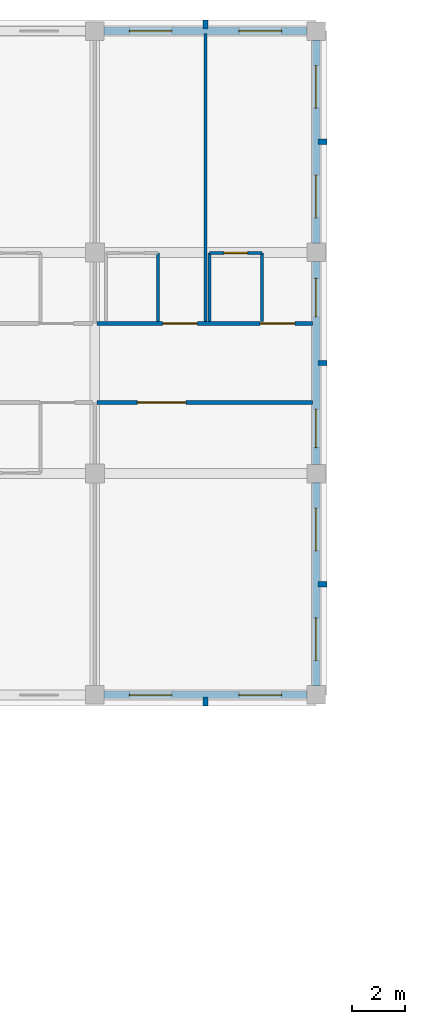
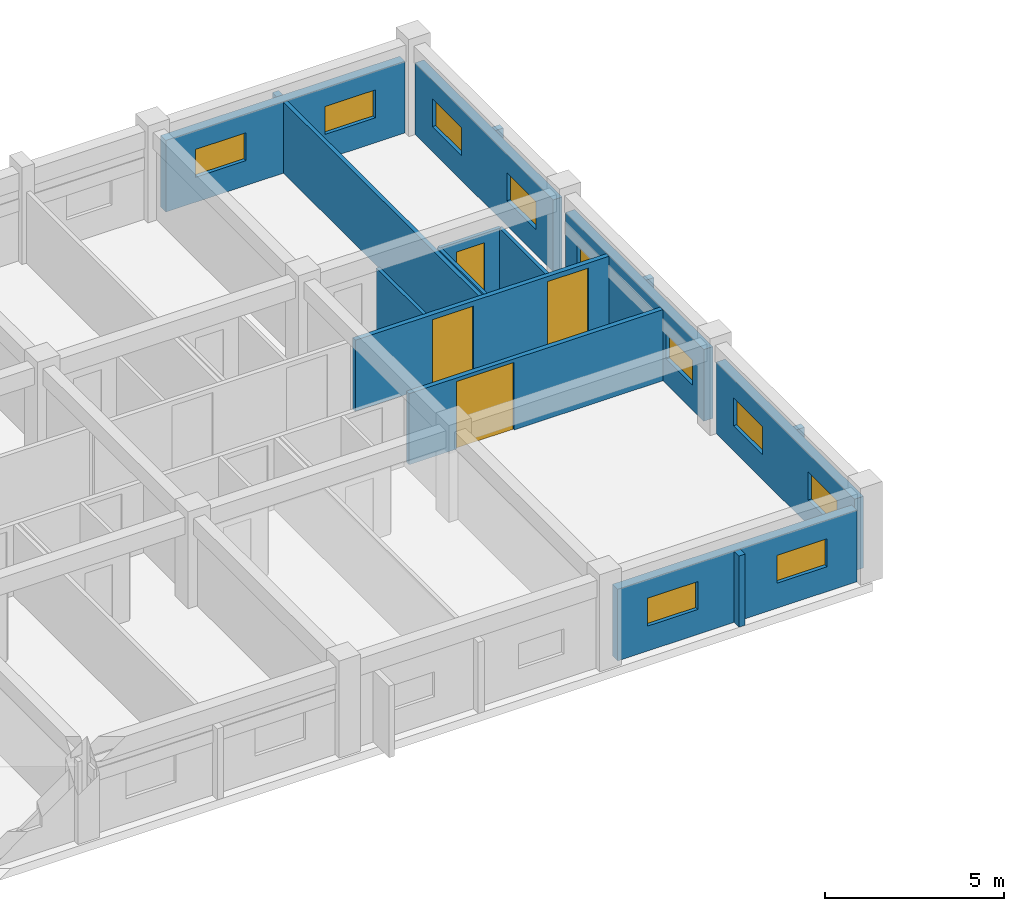
# One storey, part 132 of 148: 17 walls, 10 windows, 4 doors, 14 openings.
"""IFC4 building model written with IfcOpenShell, lengths in metres."""

from ifc_helpers import new_model, si_unit, direction, frame, frame_2d, origin, place, context, subcontext, project, spatial, rectangle, extrude, material, layer, layer_set, type_object, element, fill, save


model = new_model("IFC4")

# Units and contexts
model_context = context("Model", 3, precision=1e-05, world=origin(), true_north=direction((0.0, 1.0)))
body_context = subcontext(model_context, "Body", "Model", "MODEL_VIEW")
ifc_project = project(units=[si_unit("LENGTHUNIT", "METRE"), si_unit("AREAUNIT", "SQUARE_METRE"), si_unit("VOLUMEUNIT", "CUBIC_METRE"), si_unit("PLANEANGLEUNIT", "RADIAN"), si_unit("MASSUNIT", "GRAM", prefix="KILO")], contexts=[model_context])

# Site, building, storey
site_placement = place(None, origin())
site = spatial("IfcSite", under=ifc_project, at=site_placement, CompositionType="ELEMENT")
building_placement = place(site_placement, origin())
building = spatial("IfcBuilding", under=site, at=building_placement, Name="Trelvath General Hospital", CompositionType="ELEMENT")
storey_placement = place(building_placement, frame((0.0, 0.0, 12.89990234375)))
storey = spatial("IfcBuildingStorey", under=building, at=storey_placement, Name="L03", CompositionType="ELEMENT", Elevation=12.89990234375)

# Walls
ifc_material_1 = material(Name="Precast concrete C40/50", Category="concrete")
ifc_layer_1 = layer(ifc_material_1, 0.199951171875)
ifc_layer_set_1 = layer_set([ifc_layer_1], Name="Precast concrete C40/50")
wall_type_1 = type_object("IfcWallType", Name="BriseSoleilRib 200", PredefinedType="ELEMENTEDWALL", material=ifc_layer_set_1)
for number, where, z_axis, x_axis, name in (
    (1, (130.199951171875, 92.324951171875, 0.0), (0.0, 0.0, 1.0), (0.0, -1.0, 0.0), "Precast Concrete Brise-Soleil Rib Fin L03-297"),
    (2, (134.47509765625, 96.60009765625, 0.0), (0.0, 0.0, 1.0), (1.0, 0.0, 0.0), "Precast Concrete Brise-Soleil Rib Fin L03-298"),
    (3, (134.47509765625, 105.0, 0.0), (0.0, 0.0, 1.0), (1.0, 0.0, 0.0), "Precast Concrete Brise-Soleil Rib Fin L03-299"),
    (4, (130.199951171875, 117.675048828125, 0.0), (0.0, 0.0, 1.0), (0.0, 1.0, 0.0), "Precast Concrete Brise-Soleil Rib Fin L03-300"),
    (5, (134.47509765625, 113.39990234375, 0.0), (0.0, 0.0, 1.0), (1.0, 0.0, 0.0), "Precast Concrete Brise-Soleil Rib Fin L03-301"),
):
    element("IfcWall", number, at=place(storey_placement, frame(where, z_axis=z_axis, x_axis=x_axis)), inside=storey, type_object=wall_type_1, Name=name, PredefinedType="ELEMENTEDWALL", context=body_context, shape_type="SweptSolid", body=[
        extrude(rectangle(XDim=0.33984375, YDim=0.199951171875, at=frame_2d((0.169921875, 0.0))), origin(), (0.0, 0.0, 1.0), 2.420166015625),
    ])

# Wall, opening, door
ifc_material_2 = material(Name="Gypsum acoustic steel-stud partition", Category="steel")
ifc_layer_2 = layer(ifc_material_2, 0.14990234375)
ifc_layer_set_2 = layer_set([ifc_layer_2], Name="Gypsum acoustic steel-stud partition")
wall_type_2 = type_object("IfcWallType", Name="ClinicalPartition 150", PredefinedType="PARTITIONING", material=ifc_layer_set_2)
wall_1_placement = place(storey_placement, frame((126.080078125, 103.5, 0.0), z_axis=(0.0, 0.0, 1.0), x_axis=(1.0, 0.0, 0.0)))
wall_1 = element("IfcWall", 6, at=wall_1_placement, inside=storey, type_object=wall_type_2, Name="Corridor Partition L03-1389", PredefinedType="PARTITIONING", context=body_context, shape_type="SweptSolid", body=[
    extrude(rectangle(XDim=8.179931640625, YDim=0.14990234375, at=frame_2d((4.08984375, 0.0))), origin(), (0.0, 0.0, 1.0), 2.420166015625),
])
opening_1_placement = place(wall_1_placement, frame((1.530029296875, 0.0, 0.0)))
opening_1 = element("IfcOpeningElement", 7, at=opening_1_placement, cuts=wall_1, Name="Opening D-3-0978", PredefinedType="OPENING", context=body_context, shape_type="SweptSolid", body=[
    extrude(rectangle(XDim=1.85009765625, YDim=2.300048828125, at=frame_2d((0.925048828125, 1.14990234375))), frame((0.0, 0.0849609375, 0.0), z_axis=(0.0, -1.0, 0.0), x_axis=(1.0, 0.0, 0.0)), (0.0, 0.0, 1.0), 0.169921875),
])
ifc_material_3 = material(Name="Fire-rated steel cross-corridor pair", Category="steel")
door_type_1 = type_object("IfcDoorType", Name="Door SmokeCross 1850x2300", OperationType="DOUBLE_SWING_LEFT", PredefinedType="DOOR", material=ifc_material_3)
door_1_placement = place(opening_1_placement, origin())
door_1 = element("IfcDoor", 8, at=door_1_placement, inside=storey, type_object=door_type_1, Name="Waiting Lounge Door L03-978", OperationType="DOUBLE_SWING_LEFT", OverallHeight=2.300048828125, OverallWidth=1.85009765625, PredefinedType="DOOR", context=body_context, shape_type="SweptSolid", body=[
    extrude(rectangle(XDim=1.85009765625, YDim=2.300048828125, at=frame_2d((0.925048828125, 1.14990234375))), frame((0.0, 0.02490234375, 0.0), z_axis=(0.0, -1.0, 0.0), x_axis=(1.0, 0.0, 0.0)), (0.0, 0.0, 1.0), 0.050048828125),
])
fill(opening_1, door_1)

# Wall, openings, doors
wall_2_placement = place(storey_placement, frame((134.260009765625, 106.5, 0.0), z_axis=(0.0, 0.0, 1.0), x_axis=(-1.0, 0.0, 0.0)))
wall_2 = element("IfcWall", 9, at=wall_2_placement, inside=storey, type_object=wall_type_2, Name="Corridor Partition N L03-1390", PredefinedType="PARTITIONING", context=body_context, shape_type="SweptSolid", body=[
    extrude(rectangle(XDim=8.179931640625, YDim=0.14990234375, at=frame_2d((4.08984375, 0.0))), origin(), (0.0, 0.0, 1.0), 2.420166015625),
])
opening_2_placement = place(wall_2_placement, frame((0.669921875, 0.0, 0.0)))
opening_2 = element("IfcOpeningElement", 10, at=opening_2_placement, cuts=wall_2, Name="Opening D-3-0979", PredefinedType="OPENING", context=body_context, shape_type="SweptSolid", body=[
    extrude(rectangle(XDim=1.320068359375, YDim=2.25, at=frame_2d((0.66015625, 1.125))), frame((0.0, 0.0849609375, 0.0), z_axis=(0.0, -1.0, 0.0), x_axis=(1.0, 0.0, 0.0)), (0.0, 0.0, 1.0), 0.169921875),
])
opening_3_placement = place(wall_2_placement, frame((4.3701171875, 0.0, 0.0)))
opening_3 = element("IfcOpeningElement", 11, at=opening_3_placement, cuts=wall_2, Name="Opening D-3-0980", PredefinedType="OPENING", context=body_context, shape_type="SweptSolid", body=[
    extrude(rectangle(XDim=1.320068359375, YDim=2.25, at=frame_2d((0.66015625, 1.125))), frame((0.0, 0.0849609375, 0.0), z_axis=(0.0, -1.0, 0.0), x_axis=(1.0, 0.0, 0.0)), (0.0, 0.0, 1.0), 0.169921875),
])
ifc_material_4 = material(Name="Maternity bed-leaf timber door", Category="wood")
door_type_2 = type_object("IfcDoorType", Name="Door PatientMaternity 1320x2250", OperationType="NOTDEFINED", PredefinedType="DOOR", material=ifc_material_4)
door_2_placement = place(opening_2_placement, origin())
door_2 = element("IfcDoor", 12, at=door_2_placement, inside=storey, type_object=door_type_2, Name="Patient Room Door N L03-979", OperationType="SINGLE_SWING_RIGHT", OverallHeight=2.25, OverallWidth=1.320068359375, PredefinedType="DOOR", context=body_context, shape_type="SweptSolid", body=[
    extrude(rectangle(XDim=1.320068359375, YDim=2.25, at=frame_2d((0.66015625, 1.125))), frame((0.0, 0.02490234375, 0.0), z_axis=(0.0, -1.0, 0.0), x_axis=(1.0, 0.0, 0.0)), (0.0, 0.0, 1.0), 0.050048828125),
])
fill(opening_2, door_2)
door_3_placement = place(opening_3_placement, origin())
door_3 = element("IfcDoor", 13, at=door_3_placement, inside=storey, type_object=door_type_2, Name="Patient Room Door N L03-980", OperationType="SINGLE_SWING_RIGHT", OverallHeight=2.25, OverallWidth=1.320068359375, PredefinedType="DOOR", context=body_context, shape_type="SweptSolid", body=[
    extrude(rectangle(XDim=1.320068359375, YDim=2.25, at=frame_2d((0.66015625, 1.125))), frame((0.0, 0.02490234375, 0.0), z_axis=(0.0, -1.0, 0.0), x_axis=(1.0, 0.0, 0.0)), (0.0, 0.0, 1.0), 0.050048828125),
])
fill(opening_3, door_3)

# Walls
ifc_material_5 = material(Name="Moisture-resistant tile partition")
ifc_layer_3 = layer(ifc_material_5, 0.110107421875)
ifc_layer_set_3 = layer_set([ifc_layer_3], Name="Moisture-resistant tile partition")
wall_type_3 = type_object("IfcWallType", Name="EnSuiteWetWall 110", PredefinedType="PARTITIONING", material=ifc_layer_set_3)
for number, where, z_axis, x_axis, name in (
    (14, (128.39990234375, 106.570068359375, 0.0), (0.0, 0.0, 1.0), (0.0, 1.0, 0.0), "En-Suite E Wall N L03-1393"),
    (15, (130.360107421875, 106.570068359375, 0.0), (0.0, 0.0, 1.0), (0.0, 1.0, 0.0), "En-Suite W Wall N L03-1395"),
    (16, (132.340087890625, 106.570068359375, 0.0), (0.0, 0.0, 1.0), (0.0, 1.0, 0.0), "En-Suite E Wall N L03-1396"),
):
    element("IfcWall", number, at=place(storey_placement, frame(where, z_axis=z_axis, x_axis=x_axis)), inside=storey, type_object=wall_type_3, Name=name, PredefinedType="PARTITIONING", context=body_context, shape_type="SweptSolid", body=[
        extrude(rectangle(XDim=2.60986328125, YDim=0.110107421875, at=frame_2d((1.304931640625, 0.0))), origin(), (0.0, 0.0, 1.0), 2.420166015625),
    ])

# Wall, opening, door
wall_3_placement = place(storey_placement, frame((130.360107421875, 109.179931640625, 0.0), z_axis=(0.0, 0.0, 1.0), x_axis=(1.0, 0.0, 0.0)))
wall_3 = element("IfcWall", 17, at=wall_3_placement, inside=storey, type_object=wall_type_3, Name="En-Suite Bathroom N Partition L03-1397", PredefinedType="PARTITIONING", context=body_context, shape_type="SweptSolid", body=[
    extrude(rectangle(XDim=1.97998046875, YDim=0.110107421875, at=frame_2d((0.989990234375, 0.0))), origin(), (0.0, 0.0, 1.0), 2.420166015625),
])
opening_4_placement = place(wall_3_placement, frame((0.5400390625, 0.0, 0.0)))
opening_4 = element("IfcOpeningElement", 18, at=opening_4_placement, cuts=wall_3, Name="Opening D-3-0982", PredefinedType="OPENING", context=body_context, shape_type="SweptSolid", body=[
    extrude(rectangle(XDim=0.89990234375, YDim=2.10009765625, at=frame_2d((0.449951171875, 1.050048828125))), frame((0.0, 0.06494140625, 0.0), z_axis=(0.0, -1.0, 0.0), x_axis=(1.0, 0.0, 0.0)), (0.0, 0.0, 1.0), 0.130126953125),
])
ifc_material_6 = material(Name="Moisture-sealed timber leaf", Category="wood")
door_type_3 = type_object("IfcDoorType", Name="Door EnSuite 900x2100", OperationType="NOTDEFINED", PredefinedType="DOOR", material=ifc_material_6)
door_4_placement = place(opening_4_placement, origin())
door_4 = element("IfcDoor", 19, at=door_4_placement, inside=storey, type_object=door_type_3, Name="En-Suite Bathroom N Door L03-982", OperationType="SINGLE_SWING_RIGHT", OverallHeight=2.10009765625, OverallWidth=0.89990234375, PredefinedType="DOOR", context=body_context, shape_type="SweptSolid", body=[
    extrude(rectangle(XDim=0.89990234375, YDim=2.10009765625, at=frame_2d((0.449951171875, 1.050048828125))), frame((0.0, 0.02490234375, 0.0), z_axis=(0.0, -1.0, 0.0), x_axis=(1.0, 0.0, 0.0)), (0.0, 0.0, 1.0), 0.050048828125),
])
fill(opening_4, door_4)

# Wall, openings, windows
ifc_material_7 = material(Name="Concrete C35/45", Category="concrete")
ifc_layer_4 = layer(ifc_material_7, 0.2900390625)
ifc_layer_set_4 = layer_set([ifc_layer_4], Name="Concrete C35/45")
wall_type_4 = type_object("IfcWallType", Name="ExtBushHammeredWall 290", PredefinedType="SOLIDWALL", material=ifc_layer_set_4)
wall_4_placement = place(storey_placement, frame((134.054931640625, 92.39990234375, 0.0), z_axis=(0.0, 0.0, 1.0), x_axis=(-1.0, 0.0, 0.0)))
wall_4 = element("IfcWall", 20, at=wall_4_placement, inside=storey, type_object=wall_type_4, Name="Exterior Concrete Wall L03-415", PredefinedType="SOLIDWALL", context=body_context, shape_type="SweptSolid", body=[
    extrude(rectangle(XDim=7.7099609375, YDim=0.2900390625, at=frame_2d((3.85498046875, 0.0))), origin(), (0.0, 0.0, 1.0), 2.440185546875),
])
opening_5_placement = place(wall_4_placement, frame((0.96337890625, 0.0, 0.85009765625)))
opening_5 = element("IfcOpeningElement", 21, at=opening_5_placement, cuts=wall_4, Name="Opening WN-3-679", PredefinedType="OPENING", context=body_context, shape_type="SweptSolid", body=[
    extrude(rectangle(XDim=1.6201171875, YDim=0.949951171875, at=frame_2d((0.81005859375, 0.47509765625))), frame((0.0, 0.155029296875, 0.0), z_axis=(0.0, -1.0, 0.0), x_axis=(1.0, 0.0, 0.0)), (0.0, 0.0, 1.0), 0.31005859375),
])
opening_6_placement = place(wall_4_placement, frame((5.126708984375, 0.0, 0.85009765625)))
opening_6 = element("IfcOpeningElement", 22, at=opening_6_placement, cuts=wall_4, Name="Opening WN-3-680", PredefinedType="OPENING", context=body_context, shape_type="SweptSolid", body=[
    extrude(rectangle(XDim=1.6201171875, YDim=0.949951171875, at=frame_2d((0.81005859375, 0.47509765625))), frame((0.0, 0.155029296875, 0.0), z_axis=(0.0, -1.0, 0.0), x_axis=(1.0, 0.0, 0.0)), (0.0, 0.0, 1.0), 0.31005859375),
])
ifc_material_8 = material(Name="Low-E laminated glass", Category="glass")
window_type_1 = type_object("IfcWindowType", Name="Window EmergencyClere 1620x950", PartitioningType="DOUBLE_PANEL_VERTICAL", PredefinedType="WINDOW", material=ifc_material_8)
window_1_placement = place(opening_5_placement, origin())
window_1 = element("IfcWindow", 23, at=window_1_placement, inside=storey, type_object=window_type_1, Name="Solar Reveal Window L03-679", OverallHeight=0.949951171875, OverallWidth=1.6201171875, PartitioningType="SINGLE_PANEL", PredefinedType="WINDOW", context=body_context, shape_type="SweptSolid", body=[
    extrude(rectangle(XDim=1.6201171875, YDim=0.949951171875, at=frame_2d((0.81005859375, 0.47509765625))), frame((0.0, 0.030029296875, 0.0), z_axis=(0.0, -1.0, 0.0), x_axis=(1.0, 0.0, 0.0)), (0.0, 0.0, 1.0), 0.06005859375),
])
fill(opening_5, window_1)
window_2_placement = place(opening_6_placement, origin())
window_2 = element("IfcWindow", 24, at=window_2_placement, inside=storey, type_object=window_type_1, Name="Solar Reveal Window L03-680", OverallHeight=0.949951171875, OverallWidth=1.6201171875, PartitioningType="SINGLE_PANEL", PredefinedType="WINDOW", context=body_context, shape_type="SweptSolid", body=[
    extrude(rectangle(XDim=1.6201171875, YDim=0.949951171875, at=frame_2d((0.81005859375, 0.47509765625))), frame((0.0, 0.030029296875, 0.0), z_axis=(0.0, -1.0, 0.0), x_axis=(1.0, 0.0, 0.0)), (0.0, 0.0, 1.0), 0.06005859375),
])
fill(opening_6, window_2)

wall_5_placement = place(storey_placement, frame((134.39990234375, 100.455078125, 0.0), z_axis=(0.0, 0.0, 1.0), x_axis=(0.0, -1.0, 0.0)))
wall_5 = element("IfcWall", 25, at=wall_5_placement, inside=storey, type_object=wall_type_4, Name="Exterior Concrete Wall L03-416", PredefinedType="SOLIDWALL", context=body_context, shape_type="SweptSolid", body=[
    extrude(rectangle(XDim=7.7099609375, YDim=0.2900390625, at=frame_2d((3.85498046875, 0.0))), origin(), (0.0, 0.0, 1.0), 2.440185546875),
])
opening_7_placement = place(wall_5_placement, frame((0.96337890625, 0.0, 0.85009765625)))
opening_7 = element("IfcOpeningElement", 26, at=opening_7_placement, cuts=wall_5, Name="Opening WN-3-681", PredefinedType="OPENING", context=body_context, shape_type="SweptSolid", body=[
    extrude(rectangle(XDim=1.6201171875, YDim=0.949951171875, at=frame_2d((0.81005859375, 0.47509765625))), frame((0.0, 0.155029296875, 0.0), z_axis=(0.0, -1.0, 0.0), x_axis=(1.0, 0.0, 0.0)), (0.0, 0.0, 1.0), 0.31005859375),
])
opening_8_placement = place(wall_5_placement, frame((5.126708984375, 0.0, 0.85009765625)))
opening_8 = element("IfcOpeningElement", 27, at=opening_8_placement, cuts=wall_5, Name="Opening WN-3-682", PredefinedType="OPENING", context=body_context, shape_type="SweptSolid", body=[
    extrude(rectangle(XDim=1.6201171875, YDim=0.949951171875, at=frame_2d((0.81005859375, 0.47509765625))), frame((0.0, 0.155029296875, 0.0), z_axis=(0.0, -1.0, 0.0), x_axis=(1.0, 0.0, 0.0)), (0.0, 0.0, 1.0), 0.31005859375),
])
window_3_placement = place(opening_7_placement, origin())
window_3 = element("IfcWindow", 28, at=window_3_placement, inside=storey, type_object=window_type_1, Name="Solar Reveal Window L03-681", OverallHeight=0.949951171875, OverallWidth=1.6201171875, PartitioningType="SINGLE_PANEL", PredefinedType="WINDOW", context=body_context, shape_type="SweptSolid", body=[
    extrude(rectangle(XDim=1.6201171875, YDim=0.949951171875, at=frame_2d((0.81005859375, 0.47509765625))), frame((0.0, 0.030029296875, 0.0), z_axis=(0.0, -1.0, 0.0), x_axis=(1.0, 0.0, 0.0)), (0.0, 0.0, 1.0), 0.06005859375),
])
fill(opening_7, window_3)
window_4_placement = place(opening_8_placement, origin())
window_4 = element("IfcWindow", 29, at=window_4_placement, inside=storey, type_object=window_type_1, Name="Solar Reveal Window L03-682", OverallHeight=0.949951171875, OverallWidth=1.6201171875, PartitioningType="SINGLE_PANEL", PredefinedType="WINDOW", context=body_context, shape_type="SweptSolid", body=[
    extrude(rectangle(XDim=1.6201171875, YDim=0.949951171875, at=frame_2d((0.81005859375, 0.47509765625))), frame((0.0, 0.030029296875, 0.0), z_axis=(0.0, -1.0, 0.0), x_axis=(1.0, 0.0, 0.0)), (0.0, 0.0, 1.0), 0.06005859375),
])
fill(opening_8, window_4)

wall_6_placement = place(storey_placement, frame((134.39990234375, 108.85498046875, 0.0), z_axis=(0.0, 0.0, 1.0), x_axis=(0.0, -1.0, 0.0)))
wall_6 = element("IfcWall", 30, at=wall_6_placement, inside=storey, type_object=wall_type_4, Name="Exterior Concrete Wall L03-417", PredefinedType="SOLIDWALL", context=body_context, shape_type="SweptSolid", body=[
    extrude(rectangle(XDim=7.7099609375, YDim=0.2900390625, at=frame_2d((3.85498046875, 0.0))), origin(), (0.0, 0.0, 1.0), 2.440185546875),
])
opening_9_placement = place(wall_6_placement, frame((0.639892578125, 0.0, 0.85009765625)))
opening_9 = element("IfcOpeningElement", 31, at=opening_9_placement, cuts=wall_6, Name="Opening WN-3-683", PredefinedType="OPENING", context=body_context, shape_type="SweptSolid", body=[
    extrude(rectangle(XDim=1.4599609375, YDim=0.85009765625, at=frame_2d((0.72998046875, 0.425048828125))), frame((0.0, 0.155029296875, 0.0), z_axis=(0.0, -1.0, 0.0), x_axis=(1.0, 0.0, 0.0)), (0.0, 0.0, 1.0), 0.31005859375),
])
opening_10_placement = place(wall_6_placement, frame((5.610107421875, 0.0, 0.85009765625)))
opening_10 = element("IfcOpeningElement", 32, at=opening_10_placement, cuts=wall_6, Name="Opening WN-3-684", PredefinedType="OPENING", context=body_context, shape_type="SweptSolid", body=[
    extrude(rectangle(XDim=1.4599609375, YDim=0.85009765625, at=frame_2d((0.72998046875, 0.425048828125))), frame((0.0, 0.155029296875, 0.0), z_axis=(0.0, -1.0, 0.0), x_axis=(1.0, 0.0, 0.0)), (0.0, 0.0, 1.0), 0.31005859375),
])
ifc_material_9 = material(Name="Low-E laminated glass", Category="glass")
window_type_2 = type_object("IfcWindowType", Name="Window ImagingClere 1460x850", PartitioningType="DOUBLE_PANEL_VERTICAL", PredefinedType="WINDOW", material=ifc_material_9)
window_5_placement = place(opening_9_placement, origin())
window_5 = element("IfcWindow", 33, at=window_5_placement, inside=storey, type_object=window_type_2, Name="Solar Reveal Window L03-683", OverallHeight=0.85009765625, OverallWidth=1.4599609375, PartitioningType="SINGLE_PANEL", PredefinedType="WINDOW", context=body_context, shape_type="SweptSolid", body=[
    extrude(rectangle(XDim=1.4599609375, YDim=0.85009765625, at=frame_2d((0.72998046875, 0.425048828125))), frame((0.0, 0.030029296875, 0.0), z_axis=(0.0, -1.0, 0.0), x_axis=(1.0, 0.0, 0.0)), (0.0, 0.0, 1.0), 0.06005859375),
])
fill(opening_9, window_5)
window_6_placement = place(opening_10_placement, origin())
window_6 = element("IfcWindow", 34, at=window_6_placement, inside=storey, type_object=window_type_2, Name="Solar Reveal Window L03-684", OverallHeight=0.85009765625, OverallWidth=1.4599609375, PartitioningType="SINGLE_PANEL", PredefinedType="WINDOW", context=body_context, shape_type="SweptSolid", body=[
    extrude(rectangle(XDim=1.4599609375, YDim=0.85009765625, at=frame_2d((0.72998046875, 0.425048828125))), frame((0.0, 0.030029296875, 0.0), z_axis=(0.0, -1.0, 0.0), x_axis=(1.0, 0.0, 0.0)), (0.0, 0.0, 1.0), 0.06005859375),
])
fill(opening_10, window_6)

wall_7_placement = place(storey_placement, frame((126.344970703125, 117.60009765625, 0.0), z_axis=(0.0, 0.0, 1.0), x_axis=(1.0, 0.0, 0.0)))
wall_7 = element("IfcWall", 35, at=wall_7_placement, inside=storey, type_object=wall_type_4, Name="Exterior Concrete Wall L03-418", PredefinedType="SOLIDWALL", context=body_context, shape_type="SweptSolid", body=[
    extrude(rectangle(XDim=7.7099609375, YDim=0.2900390625, at=frame_2d((3.85498046875, 0.0))), origin(), (0.0, 0.0, 1.0), 2.440185546875),
])
opening_11_placement = place(wall_7_placement, frame((0.96337890625, 0.0, 0.85009765625)))
opening_11 = element("IfcOpeningElement", 36, at=opening_11_placement, cuts=wall_7, Name="Opening WN-3-685", PredefinedType="OPENING", context=body_context, shape_type="SweptSolid", body=[
    extrude(rectangle(XDim=1.6201171875, YDim=0.949951171875, at=frame_2d((0.81005859375, 0.47509765625))), frame((0.0, 0.155029296875, 0.0), z_axis=(0.0, -1.0, 0.0), x_axis=(1.0, 0.0, 0.0)), (0.0, 0.0, 1.0), 0.31005859375),
])
opening_12_placement = place(wall_7_placement, frame((5.126708984375, 0.0, 0.85009765625)))
opening_12 = element("IfcOpeningElement", 37, at=opening_12_placement, cuts=wall_7, Name="Opening WN-3-686", PredefinedType="OPENING", context=body_context, shape_type="SweptSolid", body=[
    extrude(rectangle(XDim=1.6201171875, YDim=0.949951171875, at=frame_2d((0.81005859375, 0.47509765625))), frame((0.0, 0.155029296875, 0.0), z_axis=(0.0, -1.0, 0.0), x_axis=(1.0, 0.0, 0.0)), (0.0, 0.0, 1.0), 0.31005859375),
])
window_7_placement = place(opening_11_placement, origin())
window_7 = element("IfcWindow", 38, at=window_7_placement, inside=storey, type_object=window_type_1, Name="Solar Reveal Window L03-685", OverallHeight=0.949951171875, OverallWidth=1.6201171875, PartitioningType="SINGLE_PANEL", PredefinedType="WINDOW", context=body_context, shape_type="SweptSolid", body=[
    extrude(rectangle(XDim=1.6201171875, YDim=0.949951171875, at=frame_2d((0.81005859375, 0.47509765625))), frame((0.0, 0.030029296875, 0.0), z_axis=(0.0, -1.0, 0.0), x_axis=(1.0, 0.0, 0.0)), (0.0, 0.0, 1.0), 0.06005859375),
])
fill(opening_11, window_7)
window_8_placement = place(opening_12_placement, origin())
window_8 = element("IfcWindow", 39, at=window_8_placement, inside=storey, type_object=window_type_1, Name="Solar Reveal Window L03-686", OverallHeight=0.949951171875, OverallWidth=1.6201171875, PartitioningType="SINGLE_PANEL", PredefinedType="WINDOW", context=body_context, shape_type="SweptSolid", body=[
    extrude(rectangle(XDim=1.6201171875, YDim=0.949951171875, at=frame_2d((0.81005859375, 0.47509765625))), frame((0.0, 0.030029296875, 0.0), z_axis=(0.0, -1.0, 0.0), x_axis=(1.0, 0.0, 0.0)), (0.0, 0.0, 1.0), 0.06005859375),
])
fill(opening_12, window_8)

wall_8_placement = place(storey_placement, frame((134.39990234375, 117.2548828125, 0.0), z_axis=(0.0, 0.0, 1.0), x_axis=(0.0, -1.0, 0.0)))
wall_8 = element("IfcWall", 40, at=wall_8_placement, inside=storey, type_object=wall_type_4, Name="Exterior Concrete Wall L03-419", PredefinedType="SOLIDWALL", context=body_context, shape_type="SweptSolid", body=[
    extrude(rectangle(XDim=7.7099609375, YDim=0.2900390625, at=frame_2d((3.85498046875, 0.0))), origin(), (0.0, 0.0, 1.0), 2.440185546875),
])
opening_13_placement = place(wall_8_placement, frame((0.96337890625, 0.0, 0.85009765625)))
opening_13 = element("IfcOpeningElement", 41, at=opening_13_placement, cuts=wall_8, Name="Opening WN-3-687", PredefinedType="OPENING", context=body_context, shape_type="SweptSolid", body=[
    extrude(rectangle(XDim=1.6201171875, YDim=0.949951171875, at=frame_2d((0.81005859375, 0.47509765625))), frame((0.0, 0.155029296875, 0.0), z_axis=(0.0, -1.0, 0.0), x_axis=(1.0, 0.0, 0.0)), (0.0, 0.0, 1.0), 0.31005859375),
])
opening_14_placement = place(wall_8_placement, frame((5.126708984375, 0.0, 0.85009765625)))
opening_14 = element("IfcOpeningElement", 42, at=opening_14_placement, cuts=wall_8, Name="Opening WN-3-688", PredefinedType="OPENING", context=body_context, shape_type="SweptSolid", body=[
    extrude(rectangle(XDim=1.6201171875, YDim=0.949951171875, at=frame_2d((0.81005859375, 0.47509765625))), frame((0.0, 0.155029296875, 0.0), z_axis=(0.0, -1.0, 0.0), x_axis=(1.0, 0.0, 0.0)), (0.0, 0.0, 1.0), 0.31005859375),
])
window_9_placement = place(opening_13_placement, origin())
window_9 = element("IfcWindow", 43, at=window_9_placement, inside=storey, type_object=window_type_1, Name="Solar Reveal Window L03-687", OverallHeight=0.949951171875, OverallWidth=1.6201171875, PartitioningType="SINGLE_PANEL", PredefinedType="WINDOW", context=body_context, shape_type="SweptSolid", body=[
    extrude(rectangle(XDim=1.6201171875, YDim=0.949951171875, at=frame_2d((0.81005859375, 0.47509765625))), frame((0.0, 0.030029296875, 0.0), z_axis=(0.0, -1.0, 0.0), x_axis=(1.0, 0.0, 0.0)), (0.0, 0.0, 1.0), 0.06005859375),
])
fill(opening_13, window_9)
window_10_placement = place(opening_14_placement, origin())
window_10 = element("IfcWindow", 44, at=window_10_placement, inside=storey, type_object=window_type_1, Name="Solar Reveal Window L03-688", OverallHeight=0.949951171875, OverallWidth=1.6201171875, PartitioningType="SINGLE_PANEL", PredefinedType="WINDOW", context=body_context, shape_type="SweptSolid", body=[
    extrude(rectangle(XDim=1.6201171875, YDim=0.949951171875, at=frame_2d((0.81005859375, 0.47509765625))), frame((0.0, 0.030029296875, 0.0), z_axis=(0.0, -1.0, 0.0), x_axis=(1.0, 0.0, 0.0)), (0.0, 0.0, 1.0), 0.06005859375),
])
fill(opening_14, window_10)

# Wall
ifc_material_10 = material(Name="Gypsum acoustic steel-stud partition", Category="steel")
ifc_layer_5 = layer(ifc_material_10, 0.1298828125)
ifc_layer_set_5 = layer_set([ifc_layer_5], Name="Gypsum acoustic steel-stud partition")
wall_type_5 = type_object("IfcWallType", Name="WardPartition 130", PredefinedType="PARTITIONING", material=ifc_layer_set_5)
wall_9_placement = place(storey_placement, frame((130.199951171875, 106.570068359375, 0.0), z_axis=(0.0, 0.0, 1.0), x_axis=(0.0, 1.0, 0.0)))
element("IfcWall", 45, at=wall_9_placement, inside=storey, type_object=wall_type_5, Name="Room Dividing Partition N L03-1391", PredefinedType="PARTITIONING", context=body_context, shape_type="SweptSolid", body=[
    extrude(rectangle(XDim=10.929931640625, YDim=0.1298828125, at=frame_2d((5.46484375, 0.0))), origin(), (0.0, 0.0, 1.0), 2.420166015625),
])

save(model, "model.ifc")
